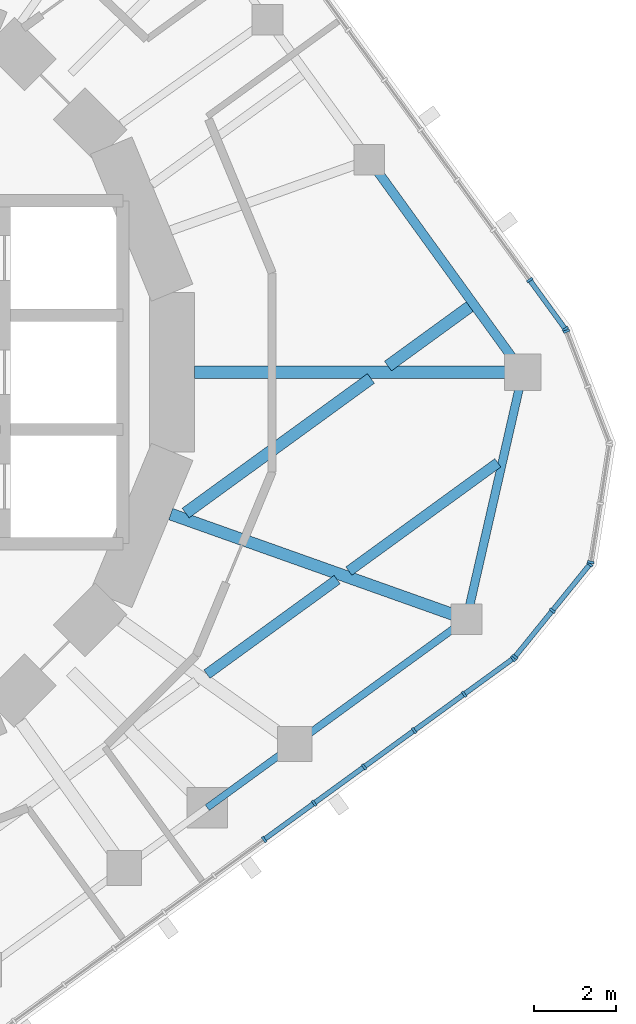
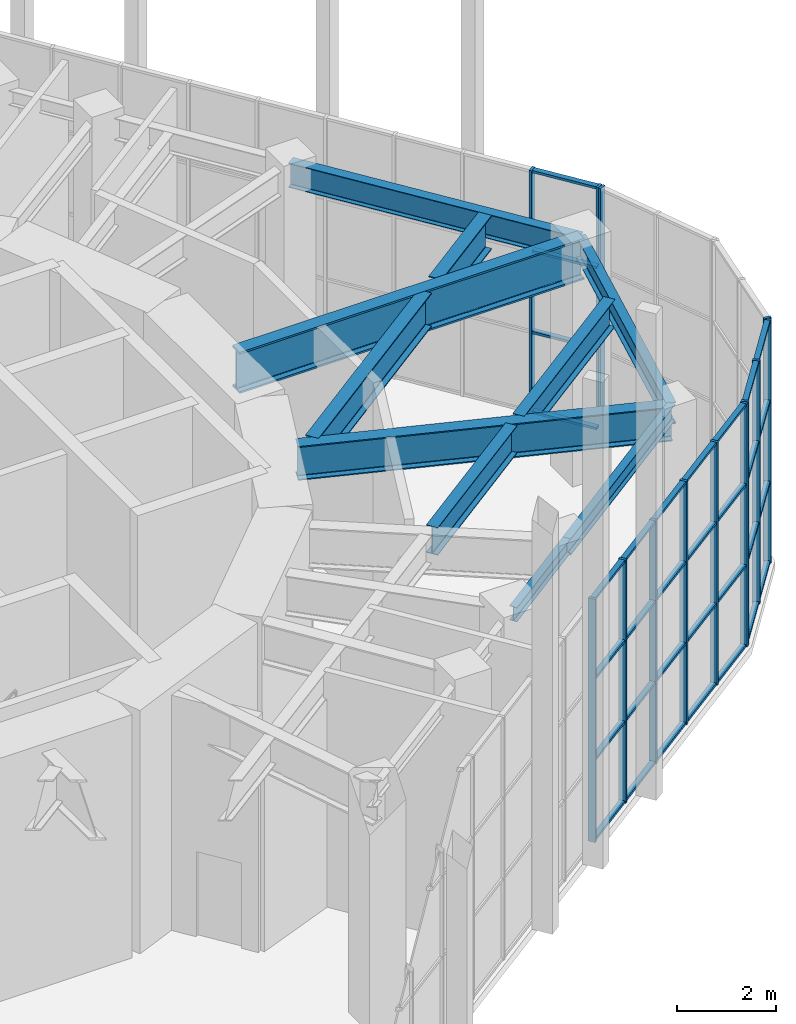
# One storey, part 7 of 17: 45 members, 10 beams, 5 elements without a shape of their own.
"""IFC4 building model written with IfcOpenShell, lengths in metres."""

from ifc_helpers import new_model, si_unit, direction, frame, origin, origin_2d, place, context, subcontext, project, spatial, rectangle, i_section, extrude, material, material_profile, profile_set, type_object, element, aggregate, save


model = new_model("IFC4")

# Units and contexts
model_context = context("Model", 3, precision=1e-05, world=origin(), true_north=direction((0.0, 1.0)))
body_context = subcontext(model_context, "Body", "Model", "MODEL_VIEW")
ifc_project = project(units=[si_unit("LENGTHUNIT", "METRE"), si_unit("AREAUNIT", "SQUARE_METRE"), si_unit("VOLUMEUNIT", "CUBIC_METRE"), si_unit("PLANEANGLEUNIT", "RADIAN"), si_unit("MASSUNIT", "GRAM", prefix="KILO")], contexts=[model_context])

# Site, building, storey
site_placement = place(None, origin())
site = spatial("IfcSite", under=ifc_project, at=site_placement, CompositionType="ELEMENT")
building_placement = place(site_placement, origin())
building = spatial("IfcBuilding", under=site, at=building_placement, Name="Nakasero Lantern House", CompositionType="ELEMENT")
storey_placement = place(building_placement, frame((0.0, 0.0, 298.39990234375)))
storey = spatial("IfcBuildingStorey", under=building, at=storey_placement, Name="L73", CompositionType="ELEMENT", Elevation=298.39990234375)

# Beams
ifc_material_1 = material(Name="Steel S355", Category="steel")
ifc_material_profile_1 = material_profile(ifc_material_1, i_section(OverallWidth=0.253662109375, OverallDepth=0.68359375, WebThickness=0.012451171875, FlangeThickness=0.01904296875, FilletRadius=0.01513671875, at=origin_2d()), Name="UB 686x254x140")
ifc_profile_set_1 = profile_set([ifc_material_profile_1], Name="Steel S355")
beam_type_1 = type_object("IfcBeamType", Name="Infill beam UB 686x254x140", PredefinedType="JOIST", material=ifc_profile_set_1)
beam_1_placement = place(storey_placement, frame((10.660400390625, -7.396728515625, 5.458251953125), z_axis=(0.809011841835, 0.58779234409, 0.0), x_axis=(-0.58779234409, 0.809011841835, 0.0)))
element("IfcBeam", 1, at=beam_1_placement, inside=storey, type_object=beam_type_1, Name="Infill beam L74 03.6", PredefinedType="JOIST", context=body_context, shape_type="SweptSolid", body=[
    extrude(i_section(OverallWidth=0.253662109375, OverallDepth=0.68359375, WebThickness=0.012451171875, FlangeThickness=0.01904296875, FilletRadius=0.01513671875, at=origin_2d()), origin(), (0.0, 0.0, 1.0), 3.942138671875),
])
beam_2_placement = place(storey_placement, frame((14.136474609375, -4.87109375, 5.458251953125), z_axis=(0.808998054221, 0.587811320295, 0.0), x_axis=(-0.587811320295, 0.808998054221, 0.0)))
element("IfcBeam", 2, at=beam_2_placement, inside=storey, type_object=beam_type_1, Name="Infill beam L74 03.7", PredefinedType="JOIST", context=body_context, shape_type="SweptSolid", body=[
    extrude(i_section(OverallWidth=0.253662109375, OverallDepth=0.68359375, WebThickness=0.012451171875, FlangeThickness=0.01904296875, FilletRadius=0.01513671875, at=origin_2d()), origin(), (0.0, 0.0, 1.0), 4.51220703125),
])
ifc_material_2 = material(Name="Steel S355", Category="steel")
ifc_material_profile_2 = material_profile(ifc_material_2, i_section(OverallWidth=0.29248046875, OverallDepth=0.8408203125, WebThickness=0.0146484375, FlangeThickness=0.02685546875, FilletRadius=0.017822265625, at=origin_2d()), Name="UB 838x292x194")
ifc_profile_set_2 = profile_set([ifc_material_profile_2], Name="Steel S355")
beam_type_2 = type_object("IfcBeamType", Name="Infill beam UB 838x292x194", PredefinedType="JOIST", material=ifc_profile_set_2)
beam_3_placement = place(storey_placement, frame((10.138427734375, -3.44970703125, 5.379638671875), z_axis=(0.809023858621, 0.587775804352, 0.0), x_axis=(-0.587775804352, 0.809023858621, 0.0)))
element("IfcBeam", 3, at=beam_3_placement, inside=storey, type_object=beam_type_2, Name="Infill beam L74 04.3", PredefinedType="JOIST", context=body_context, shape_type="SweptSolid", body=[
    extrude(i_section(OverallWidth=0.29248046875, OverallDepth=0.8408203125, WebThickness=0.0146484375, FlangeThickness=0.02685546875, FilletRadius=0.017822265625, at=origin_2d()), origin(), (0.0, 0.0, 1.0), 5.611083984375),
])
beam_4_placement = place(storey_placement, frame((15.094970703125, 0.151611328125, 5.379638671875), z_axis=(0.809008944548, 0.587796331769, 0.0), x_axis=(-0.587796331769, 0.809008944548, 0.0)))
element("IfcBeam", 4, at=beam_4_placement, inside=storey, type_object=beam_type_2, Name="Infill beam L74 04.4", PredefinedType="JOIST", context=body_context, shape_type="SweptSolid", body=[
    extrude(i_section(OverallWidth=0.29248046875, OverallDepth=0.8408203125, WebThickness=0.0146484375, FlangeThickness=0.02685546875, FilletRadius=0.017822265625, at=origin_2d()), origin(), (0.0, 0.0, 1.0), 2.4755859375),
])

# Curtain wall, members
ifc_material_3 = material(Name="Aluminium 6063-T6 and glass", Category="aluminium")
curtain_wall_type = type_object("IfcCurtainWallType", Name="Lantern glazing CW-4", PredefinedType="USERDEFINED", material=ifc_material_3)
curtain_wall_1_placement = place(storey_placement, origin())
curtain_wall_1 = element("IfcCurtainWall", 5, at=curtain_wall_1_placement, inside=storey, type_object=curtain_wall_type, Name="Curtain wall CW-4 L73", ObjectType="UNITISED CURTAIN WALL", PredefinedType="USERDEFINED")
ifc_material_4 = material(Name="Aluminium 6063-T6", Category="aluminium")
ifc_material_profile_3 = material_profile(ifc_material_4, rectangle(XDim=0.06005859375, YDim=0.159912109375, at=origin_2d()), Name="CW-4 mullion 60x160")
ifc_profile_set_3 = profile_set([ifc_material_profile_3], Name="Aluminium 6063-T6")
member_type_1 = type_object("IfcMemberType", Name="Mullion CW-4", PredefinedType="MULLION", material=ifc_profile_set_3)
member_1_placement = place(storey_placement, frame((19.4404296875, 1.05908203125, 0.0), z_axis=(0.0, 0.0, 1.0), x_axis=(-0.587785252292, 0.809016994375, 0.0)))
member_1 = element("IfcMember", 6, at=member_1_placement, type_object=member_type_1, Name="CW-4 mullion 1", PredefinedType="MULLION", context=body_context, shape_type="SweptSolid", body=[
    extrude(rectangle(XDim=0.06005859375, YDim=0.159912109375, at=origin_2d()), origin(), (0.0, 0.0, 1.0), 6.0),
])
member_2_placement = place(storey_placement, frame((18.56787109375, 2.259765625, 0.0), z_axis=(0.0, 0.0, 1.0), x_axis=(-0.587785252292, 0.809016994375, 0.0)))
member_2 = element("IfcMember", 7, at=member_2_placement, type_object=member_type_1, Name="CW-4 mullion 2", PredefinedType="MULLION", context=body_context, shape_type="SweptSolid", body=[
    extrude(rectangle(XDim=0.06005859375, YDim=0.159912109375, at=origin_2d()), origin(), (0.0, 0.0, 1.0), 6.0),
])

curtain_wall_2_placement = place(storey_placement, origin())
curtain_wall_2 = element("IfcCurtainWall", 8, at=curtain_wall_2_placement, inside=storey, type_object=curtain_wall_type, Name="Curtain wall CW-4 L73", ObjectType="UNITISED CURTAIN WALL", PredefinedType="USERDEFINED")
member_3_placement = place(storey_placement, frame((12.060546875, -11.447265625, 0.0), z_axis=(0.0, 0.0, 1.0), x_axis=(0.809016994375, 0.587785252292, 0.0)))
member_3 = element("IfcMember", 9, at=member_3_placement, type_object=member_type_1, Name="CW-4 mullion 10", PredefinedType="MULLION", context=body_context, shape_type="SweptSolid", body=[
    extrude(rectangle(XDim=0.06005859375, YDim=0.159912109375, at=origin_2d()), origin(), (0.0, 0.0, 1.0), 6.0),
])
member_4_placement = place(storey_placement, frame((13.28564453125, -10.55712890625, 0.0), z_axis=(0.0, 0.0, 1.0), x_axis=(0.809016994375, 0.587785252292, 0.0)))
member_4 = element("IfcMember", 10, at=member_4_placement, type_object=member_type_1, Name="CW-4 mullion 11", PredefinedType="MULLION", context=body_context, shape_type="SweptSolid", body=[
    extrude(rectangle(XDim=0.06005859375, YDim=0.159912109375, at=origin_2d()), origin(), (0.0, 0.0, 1.0), 6.0),
])
member_5_placement = place(storey_placement, frame((14.5107421875, -9.667236328125, 0.0), z_axis=(0.0, 0.0, 1.0), x_axis=(0.809016994375, 0.587785252292, 0.0)))
member_5 = element("IfcMember", 11, at=member_5_placement, type_object=member_type_1, Name="CW-4 mullion 12", PredefinedType="MULLION", context=body_context, shape_type="SweptSolid", body=[
    extrude(rectangle(XDim=0.06005859375, YDim=0.159912109375, at=origin_2d()), origin(), (0.0, 0.0, 1.0), 6.0),
])
member_6_placement = place(storey_placement, frame((15.735595703125, -8.777099609375, 0.0), z_axis=(0.0, 0.0, 1.0), x_axis=(0.809016994375, 0.587785252292, 0.0)))
member_6 = element("IfcMember", 12, at=member_6_placement, type_object=member_type_1, Name="CW-4 mullion 13", PredefinedType="MULLION", context=body_context, shape_type="SweptSolid", body=[
    extrude(rectangle(XDim=0.06005859375, YDim=0.159912109375, at=origin_2d()), origin(), (0.0, 0.0, 1.0), 6.0),
])
member_7_placement = place(storey_placement, frame((16.960693359375, -7.886962890625, 0.0), z_axis=(0.0, 0.0, 1.0), x_axis=(0.809016994375, 0.587785252292, 0.0)))
member_7 = element("IfcMember", 13, at=member_7_placement, type_object=member_type_1, Name="CW-4 mullion 14", PredefinedType="MULLION", context=body_context, shape_type="SweptSolid", body=[
    extrude(rectangle(XDim=0.06005859375, YDim=0.159912109375, at=origin_2d()), origin(), (0.0, 0.0, 1.0), 6.0),
])
member_8_placement = place(storey_placement, frame((18.16162109375, -7.0146484375, 0.0), z_axis=(0.0, 0.0, 1.0), x_axis=(0.809016994375, 0.587785252292, 0.0)))
member_8 = element("IfcMember", 14, at=member_8_placement, type_object=member_type_1, Name="CW-4 mullion 15", PredefinedType="MULLION", context=body_context, shape_type="SweptSolid", body=[
    extrude(rectangle(XDim=0.06005859375, YDim=0.159912109375, at=origin_2d()), origin(), (0.0, 0.0, 1.0), 6.0),
])

curtain_wall_3_placement = place(storey_placement, origin())
curtain_wall_3 = element("IfcCurtainWall", 15, at=curtain_wall_3_placement, inside=storey, type_object=curtain_wall_type, Name="Curtain wall CW-4 L73", ObjectType="UNITISED CURTAIN WALL", PredefinedType="USERDEFINED")
member_9_placement = place(storey_placement, frame((18.204833984375, -6.9736328125, 0.0), z_axis=(0.0, 0.0, 1.0), x_axis=(0.62932039105, 0.777145961457, 0.0)))
member_9 = element("IfcMember", 16, at=member_9_placement, type_object=member_type_1, Name="CW-4 mullion 1", PredefinedType="MULLION", context=body_context, shape_type="SweptSolid", body=[
    extrude(rectangle(XDim=0.06005859375, YDim=0.159912109375, at=origin_2d()), origin(), (0.0, 0.0, 1.0), 6.0),
])
member_10_placement = place(storey_placement, frame((19.122314453125, -5.84033203125, 0.0), z_axis=(0.0, 0.0, 1.0), x_axis=(0.62932039105, 0.777145961457, 0.0)))
member_10 = element("IfcMember", 17, at=member_10_placement, type_object=member_type_1, Name="CW-4 mullion 2", PredefinedType="MULLION", context=body_context, shape_type="SweptSolid", body=[
    extrude(rectangle(XDim=0.06005859375, YDim=0.159912109375, at=origin_2d()), origin(), (0.0, 0.0, 1.0), 6.0),
])
member_11_placement = place(storey_placement, frame((20.0400390625, -4.70703125, 0.0), z_axis=(0.0, 0.0, 1.0), x_axis=(0.62932039105, 0.777145961457, 0.0)))
member_11 = element("IfcMember", 18, at=member_11_placement, type_object=member_type_1, Name="CW-4 mullion 3", PredefinedType="MULLION", context=body_context, shape_type="SweptSolid", body=[
    extrude(rectangle(XDim=0.06005859375, YDim=0.159912109375, at=origin_2d()), origin(), (0.0, 0.0, 1.0), 6.0),
])

# Curtain wall, member
curtain_wall_4_placement = place(storey_placement, origin())
curtain_wall_4 = element("IfcCurtainWall", 19, at=curtain_wall_4_placement, inside=storey, type_object=curtain_wall_type, Name="Curtain wall CW-4 L73", ObjectType="UNITISED CURTAIN WALL", PredefinedType="USERDEFINED")
member_12_placement = place(storey_placement, frame((20.063720703125, -4.654052734375, 0.0), z_axis=(0.0, 0.0, 1.0), x_axis=(0.15643446504, 0.987688340595, 0.0)))
member_12 = element("IfcMember", 20, at=member_12_placement, type_object=member_type_1, Name="CW-4 mullion 1", PredefinedType="MULLION", context=body_context, shape_type="SweptSolid", body=[
    extrude(rectangle(XDim=0.06005859375, YDim=0.159912109375, at=origin_2d()), origin(), (0.0, 0.0, 1.0), 6.0),
])
aggregate(curtain_wall_4, [member_12])

curtain_wall_5_placement = place(storey_placement, origin())
curtain_wall_5 = element("IfcCurtainWall", 21, at=curtain_wall_5_placement, inside=storey, type_object=curtain_wall_type, Name="Curtain wall CW-4 L73", ObjectType="UNITISED CURTAIN WALL", PredefinedType="USERDEFINED")
member_13_placement = place(storey_placement, frame((19.46875, 1.006591796875, 0.0), z_axis=(0.0, 0.0, 1.0), x_axis=(-0.358367949545, 0.933580426497, 0.0)))
member_13 = element("IfcMember", 22, at=member_13_placement, type_object=member_type_1, Name="CW-4 mullion 3", PredefinedType="MULLION", context=body_context, shape_type="SweptSolid", body=[
    extrude(rectangle(XDim=0.06005859375, YDim=0.159912109375, at=origin_2d()), origin(), (0.0, 0.0, 1.0), 6.0),
])
aggregate(curtain_wall_5, [member_13])

# Beams
ifc_material_5 = material(Name="Steel S355", Category="steel")
ifc_material_profile_4 = material_profile(ifc_material_5, i_section(OverallWidth=0.302978515625, OverallDepth=1.015869140625, WebThickness=0.0244140625, FlangeThickness=0.0439453125, FilletRadius=0.030029296875, at=origin_2d()), Name="UB 1016x305x393")
ifc_profile_set_4 = profile_set([ifc_material_profile_4], Name="Steel S355")
beam_type_3 = type_object("IfcBeamType", Name="Primary beam UB 1016x305x393, span 6 to 9 m", PredefinedType="BEAM", material=ifc_profile_set_4)
beam_5_placement = place(storey_placement, frame((18.39990234375, 0.0, 5.292236328125), z_axis=(-1.0, 0.0, 0.0), x_axis=(0.0, -1.0, 0.0)))
element("IfcBeam", 23, at=beam_5_placement, inside=storey, type_object=beam_type_3, Name="Primary beam L74 B7-C03", PredefinedType="BEAM", context=body_context, shape_type="SweptSolid", body=[
    extrude(i_section(OverallWidth=0.302978515625, OverallDepth=1.015869140625, WebThickness=0.0244140625, FlangeThickness=0.0439453125, FilletRadius=0.030029296875, at=origin_2d()), origin(), (0.0, 0.0, 1.0), 8.0419921875),
])
ifc_material_6 = material(Name="Steel S355", Category="steel")
ifc_material_profile_5 = material_profile(ifc_material_6, i_section(OverallWidth=0.29248046875, OverallDepth=0.8408203125, WebThickness=0.0146484375, FlangeThickness=0.02685546875, FilletRadius=0.017822265625, at=origin_2d()), Name="UB 838x292x194")
ifc_profile_set_5 = profile_set([ifc_material_profile_5], Name="Steel S355")
beam_type_4 = type_object("IfcBeamType", Name="Primary beam UB 838x292x194, span 6 to 9 m", PredefinedType="BEAM", material=ifc_profile_set_5)
beam_6_placement = place(storey_placement, frame((17.02001953125, -6.051513671875, 5.379638671875), z_axis=(-0.942222036561, 0.334989005521, 0.0), x_axis=(-0.334989005521, -0.942222036561, 0.0)))
element("IfcBeam", 24, at=beam_6_placement, inside=storey, type_object=beam_type_4, Name="Primary beam L74 B7-C02", PredefinedType="BEAM", context=body_context, shape_type="SweptSolid", body=[
    extrude(i_section(OverallWidth=0.29248046875, OverallDepth=0.8408203125, WebThickness=0.0146484375, FlangeThickness=0.02685546875, FilletRadius=0.017822265625, at=origin_2d()), origin(), (0.0, 0.0, 1.0), 7.6923828125),
])
ifc_material_7 = material(Name="Steel S355", Category="steel")
ifc_material_profile_6 = material_profile(ifc_material_7, i_section(OverallWidth=0.17138671875, OverallDepth=0.35498046875, WebThickness=0.00732421875, FlangeThickness=0.011474609375, FilletRadius=0.01025390625, at=origin_2d()), Name="UB 356x171x51")
ifc_profile_set_6 = profile_set([ifc_material_profile_6], Name="Steel S355")
beam_type_5 = type_object("IfcBeamType", Name="Ring beam UB 356x171x51", PredefinedType="BEAM", material=ifc_profile_set_6)
beam_7_placement = place(storey_placement, frame((10.667236328125, -10.667236328125, 5.62255859375), z_axis=(0.809018895839, 0.587782635143, 0.0), x_axis=(-0.587782635143, 0.809018895839, 0.0)))
element("IfcBeam", 25, at=beam_7_placement, inside=storey, type_object=beam_type_5, Name="Ring beam L74 B7-C24", PredefinedType="BEAM", context=body_context, shape_type="SweptSolid", body=[
    extrude(i_section(OverallWidth=0.17138671875, OverallDepth=0.35498046875, WebThickness=0.00732421875, FlangeThickness=0.011474609375, FilletRadius=0.01025390625, at=origin_2d()), origin(), (0.0, 0.0, 1.0), 2.649658203125),
])
ifc_material_8 = material(Name="Steel S355", Category="steel")
ifc_material_profile_7 = material_profile(ifc_material_8, i_section(OverallWidth=0.177978515625, OverallDepth=0.406494140625, WebThickness=0.0078125, FlangeThickness=0.0126953125, FilletRadius=0.01025390625, at=origin_2d()), Name="UB 406x178x60")
ifc_profile_set_7 = profile_set([ifc_material_profile_7], Name="Steel S355")
beam_type_6 = type_object("IfcBeamType", Name="Ring beam UB 406x178x60", PredefinedType="BEAM", material=ifc_profile_set_7)
beam_8_placement = place(storey_placement, frame((12.810791015625, -9.10986328125, 5.596923828125), z_axis=(0.809001814948, 0.587806144414, 0.0), x_axis=(-0.587806144414, 0.809001814948, 0.0)))
element("IfcBeam", 26, at=beam_8_placement, inside=storey, type_object=beam_type_6, Name="Ring beam L74 B7-C01", PredefinedType="BEAM", context=body_context, shape_type="SweptSolid", body=[
    extrude(i_section(OverallWidth=0.177978515625, OverallDepth=0.406494140625, WebThickness=0.0078125, FlangeThickness=0.0126953125, FilletRadius=0.01025390625, at=origin_2d()), origin(), (0.0, 0.0, 1.0), 5.202880859375),
])
ifc_material_9 = material(Name="Steel S355", Category="steel")
ifc_material_profile_8 = material_profile(ifc_material_9, i_section(OverallWidth=0.208740234375, OverallDepth=0.5283203125, WebThickness=0.009521484375, FlangeThickness=0.01318359375, FilletRadius=0.0126953125, at=origin_2d()), Name="UB 533x210x82")
ifc_profile_set_8 = profile_set([ifc_material_profile_8], Name="Steel S355")
beam_type_7 = type_object("IfcBeamType", Name="Ring beam UB 533x210x82", PredefinedType="BEAM", material=ifc_profile_set_8)
beam_9_placement = place(storey_placement, frame((17.02001953125, -6.051513671875, 5.535888671875), z_axis=(0.222316387753, 0.974974575944, 0.0), x_axis=(-0.974974575944, 0.222316387753, 0.0)))
element("IfcBeam", 27, at=beam_9_placement, inside=storey, type_object=beam_type_7, Name="Ring beam L74 B7-C02", PredefinedType="BEAM", context=body_context, shape_type="SweptSolid", body=[
    extrude(i_section(OverallWidth=0.208740234375, OverallDepth=0.5283203125, WebThickness=0.009521484375, FlangeThickness=0.01318359375, FilletRadius=0.0126953125, at=origin_2d()), origin(), (0.0, 0.0, 1.0), 6.206787109375),
])
ifc_material_10 = material(Name="Steel S355", Category="steel")
ifc_material_profile_9 = material_profile(ifc_material_10, i_section(OverallWidth=0.2275390625, OverallDepth=0.6025390625, WebThickness=0.010498046875, FlangeThickness=0.014892578125, FilletRadius=0.0126953125, at=origin_2d()), Name="UB 610x229x101")
ifc_profile_set_9 = profile_set([ifc_material_profile_9], Name="Steel S355")
beam_type_8 = type_object("IfcBeamType", Name="Ring beam UB 610x229x101", PredefinedType="BEAM", material=ifc_profile_set_9)
beam_10_placement = place(storey_placement, frame((18.39990234375, 0.0, 5.498779296875), z_axis=(-0.58599287996, 0.810316200404, 0.0), x_axis=(-0.810316200404, -0.58599287996, 0.0)))
element("IfcBeam", 28, at=beam_10_placement, inside=storey, type_object=beam_type_8, Name="Ring beam L74 B7-C03", PredefinedType="BEAM", context=body_context, shape_type="SweptSolid", body=[
    extrude(i_section(OverallWidth=0.2275390625, OverallDepth=0.6025390625, WebThickness=0.010498046875, FlangeThickness=0.014892578125, FilletRadius=0.0126953125, at=origin_2d()), origin(), (0.0, 0.0, 1.0), 6.42236328125),
])

# Member
ifc_material_11 = material(Name="Aluminium 6063-T6", Category="aluminium")
ifc_material_profile_10 = material_profile(ifc_material_11, rectangle(XDim=0.06005859375, YDim=0.1201171875, at=origin_2d()), Name="CW-4 transom 60x120")
ifc_profile_set_10 = profile_set([ifc_material_profile_10], Name="Aluminium 6063-T6")
member_type_2 = type_object("IfcMemberType", Name="Transom CW-4", PredefinedType="USERDEFINED", material=ifc_profile_set_10)
member_14_placement = place(storey_placement, frame((19.422607421875, 1.083251953125, 0.030029296875), z_axis=(-0.587753757296, 0.809039875893, 0.0), x_axis=(0.0, 0.0, 1.0)))
member_14 = element("IfcMember", 29, at=member_14_placement, type_object=member_type_2, Name="CW-4 transom 1.1", ObjectType="TRANSOM", PredefinedType="USERDEFINED", context=body_context, shape_type="SweptSolid", body=[
    extrude(rectangle(XDim=0.06005859375, YDim=0.1201171875, at=origin_2d()), origin(), (0.0, 0.0, 1.0), 1.42431640625),
])

member_15_placement = place(storey_placement, frame((19.422607421875, 1.083251953125, 2.0), z_axis=(-0.587753757296, 0.809039875893, 0.0), x_axis=(0.0, 0.0, 1.0)))
member_15 = element("IfcMember", 30, at=member_15_placement, type_object=member_type_2, Name="CW-4 transom 1.2", ObjectType="TRANSOM", PredefinedType="USERDEFINED", context=body_context, shape_type="SweptSolid", body=[
    extrude(rectangle(XDim=0.06005859375, YDim=0.1201171875, at=origin_2d()), origin(), (0.0, 0.0, 1.0), 1.42431640625),
])

member_16_placement = place(storey_placement, frame((19.422607421875, 1.083251953125, 4.0), z_axis=(-0.587753757296, 0.809039875893, 0.0), x_axis=(0.0, 0.0, 1.0)))
member_16 = element("IfcMember", 31, at=member_16_placement, type_object=member_type_2, Name="CW-4 transom 1.3", ObjectType="TRANSOM", PredefinedType="USERDEFINED", context=body_context, shape_type="SweptSolid", body=[
    extrude(rectangle(XDim=0.06005859375, YDim=0.1201171875, at=origin_2d()), origin(), (0.0, 0.0, 1.0), 1.42431640625),
])

member_17_placement = place(storey_placement, frame((19.422607421875, 1.083251953125, 5.97021484375), z_axis=(-0.587753757296, 0.809039875893, 0.0), x_axis=(0.0, 0.0, 1.0)))
member_17 = element("IfcMember", 32, at=member_17_placement, type_object=member_type_2, Name="CW-4 transom 1.4", ObjectType="TRANSOM", PredefinedType="USERDEFINED", context=body_context, shape_type="SweptSolid", body=[
    extrude(rectangle(XDim=0.06005859375, YDim=0.1201171875, at=origin_2d()), origin(), (0.0, 0.0, 1.0), 1.42431640625),
])

aggregate(curtain_wall_1, [member_1, member_2, member_14, member_15, member_16, member_17])

member_18_placement = place(storey_placement, frame((12.084716796875, -11.4296875, 0.030029296875), z_axis=(0.809033634773, 0.587762348068, 0.0), x_axis=(0.0, 0.0, 1.0)))
member_18 = element("IfcMember", 33, at=member_18_placement, type_object=member_type_2, Name="CW-4 transom 10.1", ObjectType="TRANSOM", PredefinedType="USERDEFINED", context=body_context, shape_type="SweptSolid", body=[
    extrude(rectangle(XDim=0.06005859375, YDim=0.1201171875, at=origin_2d()), origin(), (0.0, 0.0, 1.0), 1.4541015625),
])

member_19_placement = place(storey_placement, frame((12.084716796875, -11.4296875, 2.0), z_axis=(0.809033634773, 0.587762348068, 0.0), x_axis=(0.0, 0.0, 1.0)))
member_19 = element("IfcMember", 34, at=member_19_placement, type_object=member_type_2, Name="CW-4 transom 10.2", ObjectType="TRANSOM", PredefinedType="USERDEFINED", context=body_context, shape_type="SweptSolid", body=[
    extrude(rectangle(XDim=0.06005859375, YDim=0.1201171875, at=origin_2d()), origin(), (0.0, 0.0, 1.0), 1.4541015625),
])

member_20_placement = place(storey_placement, frame((12.084716796875, -11.4296875, 4.0), z_axis=(0.809033634773, 0.587762348068, 0.0), x_axis=(0.0, 0.0, 1.0)))
member_20 = element("IfcMember", 35, at=member_20_placement, type_object=member_type_2, Name="CW-4 transom 10.3", ObjectType="TRANSOM", PredefinedType="USERDEFINED", context=body_context, shape_type="SweptSolid", body=[
    extrude(rectangle(XDim=0.06005859375, YDim=0.1201171875, at=origin_2d()), origin(), (0.0, 0.0, 1.0), 1.4541015625),
])

member_21_placement = place(storey_placement, frame((12.084716796875, -11.4296875, 5.97021484375), z_axis=(0.809033634773, 0.587762348068, 0.0), x_axis=(0.0, 0.0, 1.0)))
member_21 = element("IfcMember", 36, at=member_21_placement, type_object=member_type_2, Name="CW-4 transom 10.4", ObjectType="TRANSOM", PredefinedType="USERDEFINED", context=body_context, shape_type="SweptSolid", body=[
    extrude(rectangle(XDim=0.06005859375, YDim=0.1201171875, at=origin_2d()), origin(), (0.0, 0.0, 1.0), 1.4541015625),
])

member_22_placement = place(storey_placement, frame((13.309814453125, -10.53955078125, 0.030029296875), z_axis=(0.809033634773, 0.587762348068, 0.0), x_axis=(0.0, 0.0, 1.0)))
member_22 = element("IfcMember", 37, at=member_22_placement, type_object=member_type_2, Name="CW-4 transom 11.1", ObjectType="TRANSOM", PredefinedType="USERDEFINED", context=body_context, shape_type="SweptSolid", body=[
    extrude(rectangle(XDim=0.06005859375, YDim=0.1201171875, at=origin_2d()), origin(), (0.0, 0.0, 1.0), 1.4541015625),
])

member_23_placement = place(storey_placement, frame((13.309814453125, -10.53955078125, 2.0), z_axis=(0.809033634773, 0.587762348068, 0.0), x_axis=(0.0, 0.0, 1.0)))
member_23 = element("IfcMember", 38, at=member_23_placement, type_object=member_type_2, Name="CW-4 transom 11.2", ObjectType="TRANSOM", PredefinedType="USERDEFINED", context=body_context, shape_type="SweptSolid", body=[
    extrude(rectangle(XDim=0.06005859375, YDim=0.1201171875, at=origin_2d()), origin(), (0.0, 0.0, 1.0), 1.4541015625),
])

member_24_placement = place(storey_placement, frame((13.309814453125, -10.53955078125, 4.0), z_axis=(0.809033634773, 0.587762348068, 0.0), x_axis=(0.0, 0.0, 1.0)))
member_24 = element("IfcMember", 39, at=member_24_placement, type_object=member_type_2, Name="CW-4 transom 11.3", ObjectType="TRANSOM", PredefinedType="USERDEFINED", context=body_context, shape_type="SweptSolid", body=[
    extrude(rectangle(XDim=0.06005859375, YDim=0.1201171875, at=origin_2d()), origin(), (0.0, 0.0, 1.0), 1.4541015625),
])

member_25_placement = place(storey_placement, frame((13.309814453125, -10.53955078125, 5.97021484375), z_axis=(0.809033634773, 0.587762348068, 0.0), x_axis=(0.0, 0.0, 1.0)))
member_25 = element("IfcMember", 40, at=member_25_placement, type_object=member_type_2, Name="CW-4 transom 11.4", ObjectType="TRANSOM", PredefinedType="USERDEFINED", context=body_context, shape_type="SweptSolid", body=[
    extrude(rectangle(XDim=0.06005859375, YDim=0.1201171875, at=origin_2d()), origin(), (0.0, 0.0, 1.0), 1.4541015625),
])

member_26_placement = place(storey_placement, frame((14.534912109375, -9.6494140625, 0.030029296875), z_axis=(0.809033634773, 0.587762348068, 0.0), x_axis=(0.0, 0.0, 1.0)))
member_26 = element("IfcMember", 41, at=member_26_placement, type_object=member_type_2, Name="CW-4 transom 12.1", ObjectType="TRANSOM", PredefinedType="USERDEFINED", context=body_context, shape_type="SweptSolid", body=[
    extrude(rectangle(XDim=0.06005859375, YDim=0.1201171875, at=origin_2d()), origin(), (0.0, 0.0, 1.0), 1.4541015625),
])

member_27_placement = place(storey_placement, frame((14.534912109375, -9.6494140625, 2.0), z_axis=(0.809033634773, 0.587762348068, 0.0), x_axis=(0.0, 0.0, 1.0)))
member_27 = element("IfcMember", 42, at=member_27_placement, type_object=member_type_2, Name="CW-4 transom 12.2", ObjectType="TRANSOM", PredefinedType="USERDEFINED", context=body_context, shape_type="SweptSolid", body=[
    extrude(rectangle(XDim=0.06005859375, YDim=0.1201171875, at=origin_2d()), origin(), (0.0, 0.0, 1.0), 1.4541015625),
])

member_28_placement = place(storey_placement, frame((14.534912109375, -9.6494140625, 4.0), z_axis=(0.809033634773, 0.587762348068, 0.0), x_axis=(0.0, 0.0, 1.0)))
member_28 = element("IfcMember", 43, at=member_28_placement, type_object=member_type_2, Name="CW-4 transom 12.3", ObjectType="TRANSOM", PredefinedType="USERDEFINED", context=body_context, shape_type="SweptSolid", body=[
    extrude(rectangle(XDim=0.06005859375, YDim=0.1201171875, at=origin_2d()), origin(), (0.0, 0.0, 1.0), 1.4541015625),
])

member_29_placement = place(storey_placement, frame((14.534912109375, -9.6494140625, 5.97021484375), z_axis=(0.809033634773, 0.587762348068, 0.0), x_axis=(0.0, 0.0, 1.0)))
member_29 = element("IfcMember", 44, at=member_29_placement, type_object=member_type_2, Name="CW-4 transom 12.4", ObjectType="TRANSOM", PredefinedType="USERDEFINED", context=body_context, shape_type="SweptSolid", body=[
    extrude(rectangle(XDim=0.06005859375, YDim=0.1201171875, at=origin_2d()), origin(), (0.0, 0.0, 1.0), 1.4541015625),
])

member_30_placement = place(storey_placement, frame((15.760009765625, -8.759521484375, 0.030029296875), z_axis=(0.808953803009, 0.587872217916, 0.0), x_axis=(0.0, 0.0, 1.0)))
member_30 = element("IfcMember", 45, at=member_30_placement, type_object=member_type_2, Name="CW-4 transom 13.1", ObjectType="TRANSOM", PredefinedType="USERDEFINED", context=body_context, shape_type="SweptSolid", body=[
    extrude(rectangle(XDim=0.06005859375, YDim=0.1201171875, at=origin_2d()), origin(), (0.0, 0.0, 1.0), 1.454345703125),
])

member_31_placement = place(storey_placement, frame((15.760009765625, -8.759521484375, 2.0), z_axis=(0.808953803009, 0.587872217916, 0.0), x_axis=(0.0, 0.0, 1.0)))
member_31 = element("IfcMember", 46, at=member_31_placement, type_object=member_type_2, Name="CW-4 transom 13.2", ObjectType="TRANSOM", PredefinedType="USERDEFINED", context=body_context, shape_type="SweptSolid", body=[
    extrude(rectangle(XDim=0.06005859375, YDim=0.1201171875, at=origin_2d()), origin(), (0.0, 0.0, 1.0), 1.454345703125),
])

member_32_placement = place(storey_placement, frame((15.760009765625, -8.759521484375, 4.0), z_axis=(0.808953803009, 0.587872217916, 0.0), x_axis=(0.0, 0.0, 1.0)))
member_32 = element("IfcMember", 47, at=member_32_placement, type_object=member_type_2, Name="CW-4 transom 13.3", ObjectType="TRANSOM", PredefinedType="USERDEFINED", context=body_context, shape_type="SweptSolid", body=[
    extrude(rectangle(XDim=0.06005859375, YDim=0.1201171875, at=origin_2d()), origin(), (0.0, 0.0, 1.0), 1.454345703125),
])

member_33_placement = place(storey_placement, frame((15.760009765625, -8.759521484375, 5.97021484375), z_axis=(0.808953803009, 0.587872217916, 0.0), x_axis=(0.0, 0.0, 1.0)))
member_33 = element("IfcMember", 48, at=member_33_placement, type_object=member_type_2, Name="CW-4 transom 13.4", ObjectType="TRANSOM", PredefinedType="USERDEFINED", context=body_context, shape_type="SweptSolid", body=[
    extrude(rectangle(XDim=0.06005859375, YDim=0.1201171875, at=origin_2d()), origin(), (0.0, 0.0, 1.0), 1.454345703125),
])

member_34_placement = place(storey_placement, frame((16.985107421875, -7.869384765625, 0.030029296875), z_axis=(0.808980650343, 0.587835272309, 0.0), x_axis=(0.0, 0.0, 1.0)))
member_34 = element("IfcMember", 49, at=member_34_placement, type_object=member_type_2, Name="CW-4 transom 14.1", ObjectType="TRANSOM", PredefinedType="USERDEFINED", context=body_context, shape_type="SweptSolid", body=[
    extrude(rectangle(XDim=0.06005859375, YDim=0.1201171875, at=origin_2d()), origin(), (0.0, 0.0, 1.0), 1.424072265625),
])

member_35_placement = place(storey_placement, frame((16.985107421875, -7.869384765625, 2.0), z_axis=(0.808980650343, 0.587835272309, 0.0), x_axis=(0.0, 0.0, 1.0)))
member_35 = element("IfcMember", 50, at=member_35_placement, type_object=member_type_2, Name="CW-4 transom 14.2", ObjectType="TRANSOM", PredefinedType="USERDEFINED", context=body_context, shape_type="SweptSolid", body=[
    extrude(rectangle(XDim=0.06005859375, YDim=0.1201171875, at=origin_2d()), origin(), (0.0, 0.0, 1.0), 1.424072265625),
])

member_36_placement = place(storey_placement, frame((16.985107421875, -7.869384765625, 4.0), z_axis=(0.808980650343, 0.587835272309, 0.0), x_axis=(0.0, 0.0, 1.0)))
member_36 = element("IfcMember", 51, at=member_36_placement, type_object=member_type_2, Name="CW-4 transom 14.3", ObjectType="TRANSOM", PredefinedType="USERDEFINED", context=body_context, shape_type="SweptSolid", body=[
    extrude(rectangle(XDim=0.06005859375, YDim=0.1201171875, at=origin_2d()), origin(), (0.0, 0.0, 1.0), 1.424072265625),
])

member_37_placement = place(storey_placement, frame((16.985107421875, -7.869384765625, 5.97021484375), z_axis=(0.808980650343, 0.587835272309, 0.0), x_axis=(0.0, 0.0, 1.0)))
member_37 = element("IfcMember", 52, at=member_37_placement, type_object=member_type_2, Name="CW-4 transom 14.4", ObjectType="TRANSOM", PredefinedType="USERDEFINED", context=body_context, shape_type="SweptSolid", body=[
    extrude(rectangle(XDim=0.06005859375, YDim=0.1201171875, at=origin_2d()), origin(), (0.0, 0.0, 1.0), 1.424072265625),
])

aggregate(curtain_wall_2, [member_3, member_4, member_5, member_6, member_7, member_8, member_18, member_19, member_20, member_21, member_22, member_23, member_24, member_25, member_26, member_27, member_28, member_29, member_30, member_31, member_32, member_33, member_34, member_35, member_36, member_37])

member_38_placement = place(storey_placement, frame((18.2236328125, -6.9501953125, 0.030029296875), z_axis=(0.629369016646, 0.777106582707, 0.0), x_axis=(0.0, 0.0, 1.0)))
member_38 = element("IfcMember", 53, at=member_38_placement, type_object=member_type_2, Name="CW-4 transom 1.1", ObjectType="TRANSOM", PredefinedType="USERDEFINED", context=body_context, shape_type="SweptSolid", body=[
    extrude(rectangle(XDim=0.06005859375, YDim=0.1201171875, at=origin_2d()), origin(), (0.0, 0.0, 1.0), 1.39794921875),
])

member_39_placement = place(storey_placement, frame((18.2236328125, -6.9501953125, 2.0), z_axis=(0.629369016646, 0.777106582707, 0.0), x_axis=(0.0, 0.0, 1.0)))
member_39 = element("IfcMember", 54, at=member_39_placement, type_object=member_type_2, Name="CW-4 transom 1.2", ObjectType="TRANSOM", PredefinedType="USERDEFINED", context=body_context, shape_type="SweptSolid", body=[
    extrude(rectangle(XDim=0.06005859375, YDim=0.1201171875, at=origin_2d()), origin(), (0.0, 0.0, 1.0), 1.39794921875),
])

member_40_placement = place(storey_placement, frame((18.2236328125, -6.9501953125, 4.0), z_axis=(0.629369016646, 0.777106582707, 0.0), x_axis=(0.0, 0.0, 1.0)))
member_40 = element("IfcMember", 55, at=member_40_placement, type_object=member_type_2, Name="CW-4 transom 1.3", ObjectType="TRANSOM", PredefinedType="USERDEFINED", context=body_context, shape_type="SweptSolid", body=[
    extrude(rectangle(XDim=0.06005859375, YDim=0.1201171875, at=origin_2d()), origin(), (0.0, 0.0, 1.0), 1.39794921875),
])

member_41_placement = place(storey_placement, frame((18.2236328125, -6.9501953125, 5.97021484375), z_axis=(0.629369016646, 0.777106582707, 0.0), x_axis=(0.0, 0.0, 1.0)))
member_41 = element("IfcMember", 56, at=member_41_placement, type_object=member_type_2, Name="CW-4 transom 1.4", ObjectType="TRANSOM", PredefinedType="USERDEFINED", context=body_context, shape_type="SweptSolid", body=[
    extrude(rectangle(XDim=0.06005859375, YDim=0.1201171875, at=origin_2d()), origin(), (0.0, 0.0, 1.0), 1.39794921875),
])

member_42_placement = place(storey_placement, frame((19.141357421875, -5.817138671875, 0.030029296875), z_axis=(0.629283614868, 0.777175740781, 0.0), x_axis=(0.0, 0.0, 1.0)))
member_42 = element("IfcMember", 57, at=member_42_placement, type_object=member_type_2, Name="CW-4 transom 2.1", ObjectType="TRANSOM", PredefinedType="USERDEFINED", context=body_context, shape_type="SweptSolid", body=[
    extrude(rectangle(XDim=0.06005859375, YDim=0.1201171875, at=origin_2d()), origin(), (0.0, 0.0, 1.0), 1.398193359375),
])

member_43_placement = place(storey_placement, frame((19.141357421875, -5.817138671875, 2.0), z_axis=(0.629283614868, 0.777175740781, 0.0), x_axis=(0.0, 0.0, 1.0)))
member_43 = element("IfcMember", 58, at=member_43_placement, type_object=member_type_2, Name="CW-4 transom 2.2", ObjectType="TRANSOM", PredefinedType="USERDEFINED", context=body_context, shape_type="SweptSolid", body=[
    extrude(rectangle(XDim=0.06005859375, YDim=0.1201171875, at=origin_2d()), origin(), (0.0, 0.0, 1.0), 1.398193359375),
])

member_44_placement = place(storey_placement, frame((19.141357421875, -5.817138671875, 4.0), z_axis=(0.629283614868, 0.777175740781, 0.0), x_axis=(0.0, 0.0, 1.0)))
member_44 = element("IfcMember", 59, at=member_44_placement, type_object=member_type_2, Name="CW-4 transom 2.3", ObjectType="TRANSOM", PredefinedType="USERDEFINED", context=body_context, shape_type="SweptSolid", body=[
    extrude(rectangle(XDim=0.06005859375, YDim=0.1201171875, at=origin_2d()), origin(), (0.0, 0.0, 1.0), 1.398193359375),
])

member_45_placement = place(storey_placement, frame((19.141357421875, -5.817138671875, 5.97021484375), z_axis=(0.629283614868, 0.777175740781, 0.0), x_axis=(0.0, 0.0, 1.0)))
member_45 = element("IfcMember", 60, at=member_45_placement, type_object=member_type_2, Name="CW-4 transom 2.4", ObjectType="TRANSOM", PredefinedType="USERDEFINED", context=body_context, shape_type="SweptSolid", body=[
    extrude(rectangle(XDim=0.06005859375, YDim=0.1201171875, at=origin_2d()), origin(), (0.0, 0.0, 1.0), 1.398193359375),
])

aggregate(curtain_wall_3, [member_9, member_10, member_11, member_38, member_39, member_40, member_41, member_42, member_43, member_44, member_45])

save(model, "model.ifc")
